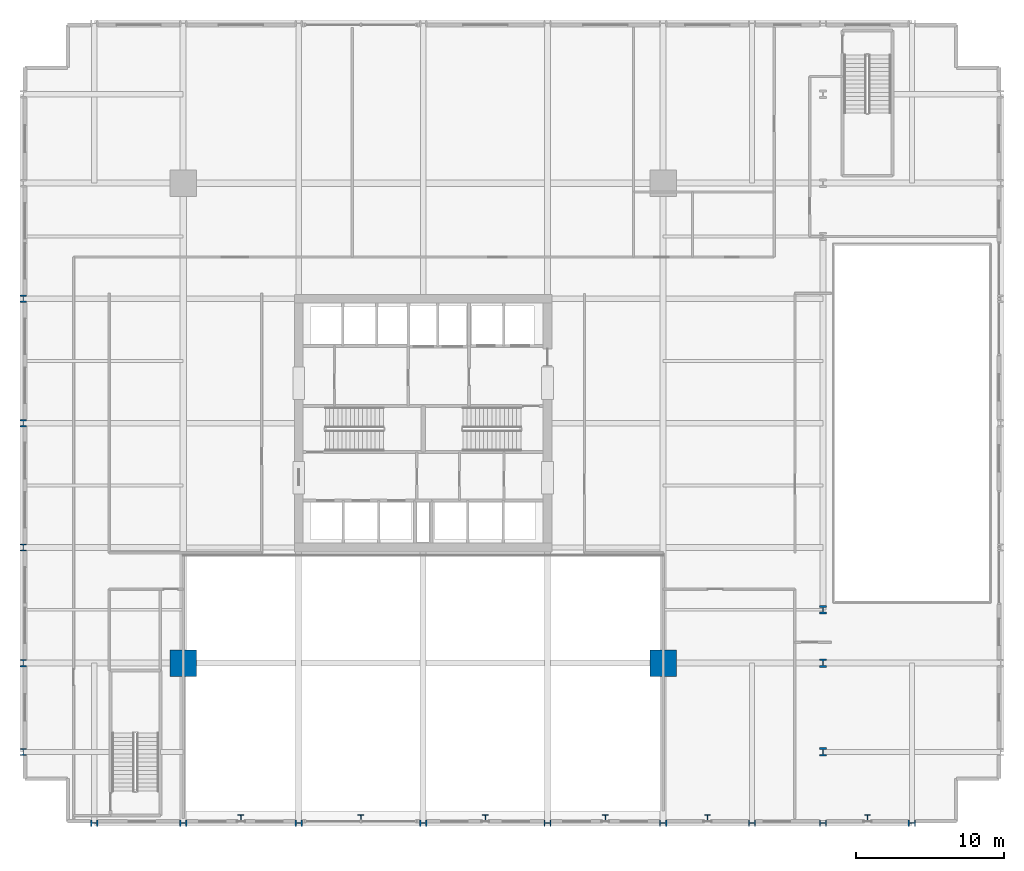
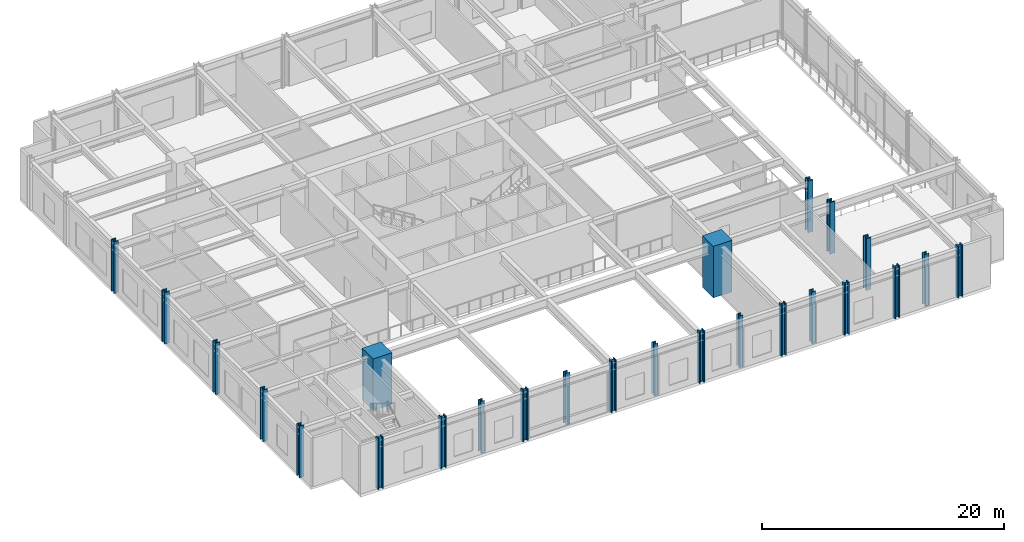
# One storey, part 1 of 19: 25 columns.
"""IFC4 building model written with IfcOpenShell, lengths in metres."""

from ifc_helpers import new_model, si_unit, direction, frame, origin, origin_2d, place, context, subcontext, project, spatial, rectangle, i_section, extrude, material, material_profile, profile_set, type_object, element, save


model = new_model("IFC4")

# Units and contexts
model_context = context("Model", 3, precision=1e-05, world=origin(), true_north=direction((0.0, 1.0)))
body_context = subcontext(model_context, "Body", "Model", "MODEL_VIEW")
ifc_project = project(units=[si_unit("LENGTHUNIT", "METRE"), si_unit("AREAUNIT", "SQUARE_METRE"), si_unit("VOLUMEUNIT", "CUBIC_METRE"), si_unit("PLANEANGLEUNIT", "RADIAN"), si_unit("MASSUNIT", "GRAM", prefix="KILO")], contexts=[model_context])

# Site, building, storey
site_placement = place(None, origin())
site = spatial("IfcSite", under=ifc_project, at=site_placement, CompositionType="ELEMENT")
building_placement = place(site_placement, origin())
building = spatial("IfcBuilding", under=site, at=building_placement, Name="Drelvath Grand Hotel", CompositionType="ELEMENT")
storey_placement = place(building_placement, frame((0.0, 0.0, 17.199951171875)))
storey = spatial("IfcBuildingStorey", under=building, at=storey_placement, Name="L03", CompositionType="ELEMENT", Elevation=17.199951171875)

# Columns
ifc_material_1 = material(Name="Steel ASTM A913 Gr 65", Category="steel")
ifc_material_profile_1 = material_profile(ifc_material_1, i_section(OverallWidth=0.4013671875, OverallDepth=0.3994140625, WebThickness=0.02490234375, FlangeThickness=0.03955078125, FilletRadius=0.02490234375, at=origin_2d()), Name="W14X211")
ifc_profile_set_1 = profile_set([ifc_material_profile_1], Name="Steel ASTM A913 Gr 65")
column_type_1 = type_object("IfcColumnType", Name="Colonnade Steel Pilaster W14X211", PredefinedType="COLUMN", material=ifc_profile_set_1)
for number, where, z_axis, x_axis, name in (
    (1, (-12.300048828125, 0.35009765625, 0.0), (0.0, 0.0, 1.0), (1.0, 0.0, 0.0), "L03 Colonnade Pilaster PIL-S1"),
    (2, (-4.199951171875, 0.35009765625, 0.0), (0.0, 0.0, 1.0), (1.0, 0.0, 0.0), "L03 Colonnade Pilaster PIL-S2"),
    (3, (4.199951171875, 0.35009765625, 0.0), (0.0, 0.0, 1.0), (1.0, 0.0, 0.0), "L03 Colonnade Pilaster PIL-S3"),
    (4, (12.300048828125, 0.35009765625, 0.0), (0.0, 0.0, 1.0), (1.0, 0.0, 0.0), "L03 Colonnade Pilaster PIL-S4"),
    (5, (19.199951171875, 0.35009765625, 0.0), (0.0, 0.0, 1.0), (1.0, 0.0, 0.0), "L03 Colonnade Pilaster PIL-S5"),
    (6, (30.0, 0.35009765625, 0.0), (0.0, 0.0, 1.0), (1.0, 0.0, 0.0), "L03 Colonnade Pilaster PIL-S6"),
):
    element("IfcColumn", number, at=place(storey_placement, frame(where, z_axis=z_axis, x_axis=x_axis)), inside=storey, type_object=column_type_1, Name=name, PredefinedType="COLUMN", context=body_context, shape_type="SweptSolid", body=[
        extrude(i_section(OverallWidth=0.4013671875, OverallDepth=0.3994140625, WebThickness=0.02490234375, FlangeThickness=0.03955078125, FilletRadius=0.02490234375, at=origin_2d()), origin(), (0.0, 0.0, 1.0), 5.199951171875),
    ])
ifc_material_2 = material(Name="Concrete f'c 70 MPa", Category="concrete")
ifc_material_profile_2 = material_profile(ifc_material_2, rectangle(XDim=1.800048828125, YDim=1.800048828125, at=origin_2d()), Name="MC1800X1800")
ifc_profile_set_2 = profile_set([ifc_material_profile_2], Name="Concrete f'c 70 MPa")
column_type_2 = type_object("IfcColumnType", Name="Composite Mega Column MC1800X1800", PredefinedType="COLUMN", material=ifc_profile_set_2)
for number, where, z_axis, x_axis, name in (
    (7, (-16.199951171875, 10.800048828125, 0.0), (0.0, 0.0, 1.0), (1.0, 0.0, 0.0), "L03 Composite Mega Column MC-SW"),
    (8, (16.199951171875, 10.800048828125, 0.0), (0.0, 0.0, 1.0), (1.0, 0.0, 0.0), "L03 Composite Mega Column MC-SE"),
):
    element("IfcColumn", number, at=place(storey_placement, frame(where, z_axis=z_axis, x_axis=x_axis)), inside=storey, type_object=column_type_2, Name=name, PredefinedType="COLUMN", context=body_context, shape_type="SweptSolid", body=[
        extrude(rectangle(XDim=1.800048828125, YDim=1.800048828125, at=origin_2d()), origin(), (0.0, 0.0, 1.0), 5.199951171875),
    ])
ifc_material_profile_3 = material_profile(ifc_material_1, i_section(OverallWidth=0.43212890625, OverallDepth=0.497802734375, WebThickness=0.0556640625, FlangeThickness=0.0888671875, FilletRadius=0.030029296875, at=origin_2d()), Name="W14X500")
ifc_profile_set_3 = profile_set([ifc_material_profile_3], Name="Steel ASTM A913 Gr 65")
column_type_3 = type_object("IfcColumnType", Name="Perimeter Steel Column W14X500", PredefinedType="COLUMN", material=ifc_profile_set_3)
for number, where, z_axis, x_axis, name in (
    (9, (-27.0, 4.800048828125, 0.0), (0.0, 0.0, 1.0), (1.0, 0.0, 0.0), "L03 Structural Column PCW-B"),
    (10, (-27.0, 10.800048828125, 0.0), (0.0, 0.0, 1.0), (1.0, 0.0, 0.0), "L03 Structural Column PCW-C"),
    (11, (-27.0, 18.60009765625, 0.0), (0.0, 0.0, 1.0), (1.0, 0.0, 0.0), "L03 Structural Column PCW-D"),
    (12, (-27.0, 27.0, 0.0), (0.0, 0.0, 1.0), (1.0, 0.0, 0.0), "L03 Structural Column PCW-E"),
    (13, (-27.0, 35.39990234375, 0.0), (0.0, 0.0, 1.0), (1.0, 0.0, 0.0), "L03 Structural Column PCW-F"),
    (14, (-22.199951171875, 0.0, 0.0), (0.0, 0.0, 1.0), (0.0, 1.0, 0.0), "L03 Structural Column PCS-2"),
    (15, (-16.199951171875, 0.0, 0.0), (0.0, 0.0, 1.0), (0.0, 1.0, 0.0), "L03 Structural Column PCS-3"),
    (16, (-8.39990234375, 0.0, 0.0), (0.0, 0.0, 1.0), (0.0, 1.0, 0.0), "L03 Structural Column PCS-4"),
    (17, (0.0, 0.0, 0.0), (0.0, 0.0, 1.0), (0.0, 1.0, 0.0), "L03 Structural Column PCS-5"),
    (18, (8.39990234375, 0.0, 0.0), (0.0, 0.0, 1.0), (0.0, 1.0, 0.0), "L03 Structural Column PCS-6"),
    (19, (16.199951171875, 0.0, 0.0), (0.0, 0.0, 1.0), (0.0, 1.0, 0.0), "L03 Structural Column PCS-7"),
    (20, (22.199951171875, 0.0, 0.0), (0.0, 0.0, 1.0), (0.0, 1.0, 0.0), "L03 Structural Column PCS-8"),
    (21, (27.0, 0.0, 0.0), (0.0, 0.0, 1.0), (0.0, 1.0, 0.0), "L03 Structural Column PCS-9"),
    (22, (33.0, 0.0, 0.0), (0.0, 0.0, 1.0), (0.0, 1.0, 0.0), "L03 Structural Column PCS-10"),
):
    element("IfcColumn", number, at=place(storey_placement, frame(where, z_axis=z_axis, x_axis=x_axis)), inside=storey, type_object=column_type_3, Name=name, PredefinedType="COLUMN", context=body_context, shape_type="SweptSolid", body=[
        extrude(i_section(OverallWidth=0.43212890625, OverallDepth=0.497802734375, WebThickness=0.0556640625, FlangeThickness=0.0888671875, FilletRadius=0.030029296875, at=origin_2d()), origin(), (0.0, 0.0, 1.0), 5.199951171875),
    ])
ifc_material_profile_4 = material_profile(ifc_material_1, i_section(OverallWidth=0.454345703125, OverallDepth=0.569091796875, WebThickness=0.077880859375, FlangeThickness=0.124755859375, FilletRadius=0.030029296875, at=origin_2d()), Name="W14X730")
ifc_profile_set_4 = profile_set([ifc_material_profile_4], Name="Steel ASTM A913 Gr 65")
column_type_4 = type_object("IfcColumnType", Name="Perimeter Steel Column W14X730", PredefinedType="COLUMN", material=ifc_profile_set_4)
for number, where, z_axis, x_axis, name in (
    (23, (27.0, 4.800048828125, 0.0), (0.0, 0.0, 1.0), (1.0, 0.0, 0.0), "L03 Structural Column PCP9-B"),
    (24, (27.0, 10.800048828125, 0.0), (0.0, 0.0, 1.0), (1.0, 0.0, 0.0), "L03 Structural Column PCP9-C"),
    (25, (27.0, 14.39990234375, 0.0), (0.0, 0.0, 1.0), (1.0, 0.0, 0.0), "L03 Structural Column PCP9-AT1"),
):
    element("IfcColumn", number, at=place(storey_placement, frame(where, z_axis=z_axis, x_axis=x_axis)), inside=storey, type_object=column_type_4, Name=name, PredefinedType="COLUMN", context=body_context, shape_type="SweptSolid", body=[
        extrude(i_section(OverallWidth=0.454345703125, OverallDepth=0.569091796875, WebThickness=0.077880859375, FlangeThickness=0.124755859375, FilletRadius=0.030029296875, at=origin_2d()), origin(), (0.0, 0.0, 1.0), 5.199951171875),
    ])

save(model, "model.ifc")
